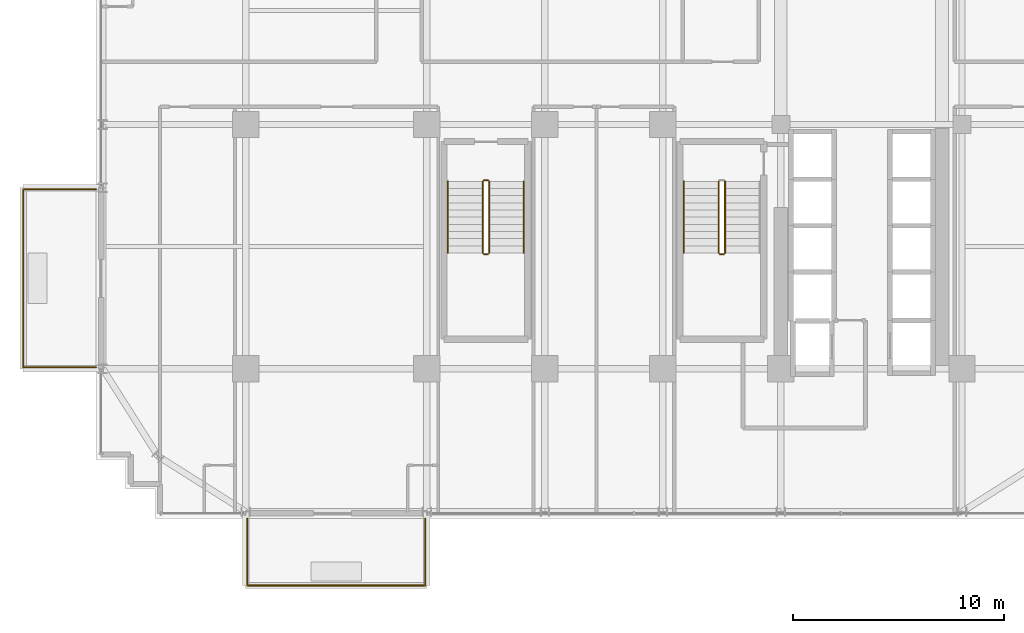
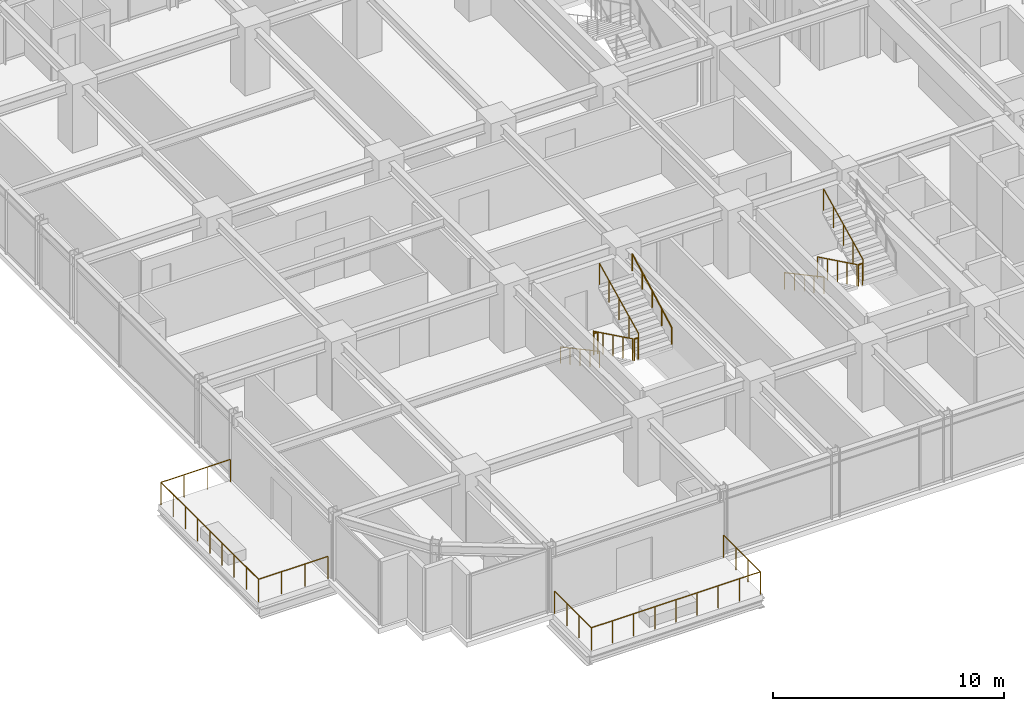
# One storey, part 30 of 32: 12 railings.
"""IFC4 building model written with IfcOpenShell, lengths in metres."""

from ifc_helpers import new_model, si_unit, direction, frame, origin, origin_2d, place, context, subcontext, project, spatial, circle, extrude, material, type_object, element, save


model = new_model("IFC4")

# Units and contexts
model_context = context("Model", 3, precision=1e-05, world=origin(), true_north=direction((0.0, 1.0)))
body_context = subcontext(model_context, "Body", "Model", "MODEL_VIEW")
ifc_project = project(units=[si_unit("LENGTHUNIT", "METRE"), si_unit("AREAUNIT", "SQUARE_METRE"), si_unit("VOLUMEUNIT", "CUBIC_METRE"), si_unit("PLANEANGLEUNIT", "RADIAN"), si_unit("MASSUNIT", "GRAM", prefix="KILO")], contexts=[model_context])

# Site, building, storey
site_placement = place(None, origin())
site = spatial("IfcSite", under=ifc_project, at=site_placement, CompositionType="ELEMENT")
building_placement = place(site_placement, origin())
building = spatial("IfcBuilding", under=site, at=building_placement, Name="Nahalor Promenade Grand Hotel", CompositionType="ELEMENT")
storey_placement = place(building_placement, frame((0.0, 0.0, 110.199951171875)))
storey = spatial("IfcBuildingStorey", under=building, at=storey_placement, Name="L27", CompositionType="ELEMENT", Elevation=110.199951171875)

# Railings
ifc_material_1 = material(Name="Anodised Bronze Aluminium EN AW-6063 T6", Category="aluminium")
railing_type_1 = type_object("IfcRailingType", Name="Bronze Balcony Guardrail 1200 mm", PredefinedType="GUARDRAIL", material=ifc_material_1)
railing_1_placement = place(storey_placement, frame((-16.919921875, -24.10009765625, 0.0)))
element("IfcRailing", 1, at=railing_1_placement, inside=storey, type_object=railing_type_1, Name="L27 Balcony Guardrail 1", PredefinedType="GUARDRAIL", context=body_context, shape_type="SweptSolid", body=[
    extrude(circle(Radius=0.024048, at=origin_2d()), frame((0.0, 0.0, 1.17578125), z_axis=(0.0, -1.0, 0.0), x_axis=(1.0, 0.0, 0.0)), (0.0, 0.0, 1.0), 3.177978515625),
    extrude(circle(Radius=0.024048, at=origin_2d()), frame((0.001953125, -3.179931640625, 1.17578125), z_axis=(1.0, 0.0, 0.0), x_axis=(0.0, 1.0, 0.0)), (0.0, 0.0, 1.0), 8.43603515625),
    extrude(circle(Radius=0.024048, at=origin_2d()), frame((8.43994140625, -3.177978515625, 1.17578125), z_axis=(0.0, 1.0, 0.0), x_axis=(-1.0, 0.0, 0.0)), (0.0, 0.0, 1.0), 3.177978515625),
    extrude(circle(Radius=0.020996, at=origin_2d()), origin(), (0.0, 0.0, 1.0), 1.14990234375),
    extrude(circle(Radius=0.020996, at=origin_2d()), frame((0.0, -1.06005859375, 0.0)), (0.0, 0.0, 1.0), 1.14990234375),
    extrude(circle(Radius=0.020996, at=origin_2d()), frame((0.0, -2.119873046875, 0.0)), (0.0, 0.0, 1.0), 1.14990234375),
    extrude(circle(Radius=0.020996, at=origin_2d()), frame((0.0, -3.179931640625, 0.0)), (0.0, 0.0, 1.0), 1.14990234375),
    extrude(circle(Radius=0.020996, at=origin_2d()), frame((1.054931640625, -3.179931640625, 0.0)), (0.0, 0.0, 1.0), 1.14990234375),
    extrude(circle(Radius=0.020996, at=origin_2d()), frame((2.10986328125, -3.179931640625, 0.0)), (0.0, 0.0, 1.0), 1.14990234375),
    extrude(circle(Radius=0.020996, at=origin_2d()), frame((3.1650390625, -3.179931640625, 0.0)), (0.0, 0.0, 1.0), 1.14990234375),
    extrude(circle(Radius=0.020996, at=origin_2d()), frame((4.219970703125, -3.179931640625, 0.0)), (0.0, 0.0, 1.0), 1.14990234375),
    extrude(circle(Radius=0.020996, at=origin_2d()), frame((5.27490234375, -3.179931640625, 0.0)), (0.0, 0.0, 1.0), 1.14990234375),
    extrude(circle(Radius=0.020996, at=origin_2d()), frame((6.330078125, -3.179931640625, 0.0)), (0.0, 0.0, 1.0), 1.14990234375),
    extrude(circle(Radius=0.020996, at=origin_2d()), frame((7.385009765625, -3.179931640625, 0.0)), (0.0, 0.0, 1.0), 1.14990234375),
    extrude(circle(Radius=0.020996, at=origin_2d()), frame((8.43994140625, -3.179931640625, 0.0)), (0.0, 0.0, 1.0), 1.14990234375),
    extrude(circle(Radius=0.020996, at=origin_2d()), frame((8.43994140625, -2.119873046875, 0.0)), (0.0, 0.0, 1.0), 1.14990234375),
    extrude(circle(Radius=0.020996, at=origin_2d()), frame((8.43994140625, -1.06005859375, 0.0)), (0.0, 0.0, 1.0), 1.14990234375),
    extrude(circle(Radius=0.020996, at=origin_2d()), frame((8.43994140625, 0.0, 0.0)), (0.0, 0.0, 1.0), 1.14990234375),
])
railing_2_placement = place(storey_placement, frame((-24.10009765625, -16.919921875, 0.0)))
element("IfcRailing", 2, at=railing_2_placement, inside=storey, type_object=railing_type_1, Name="L27 Balcony Guardrail 2", PredefinedType="GUARDRAIL", context=body_context, shape_type="SweptSolid", body=[
    extrude(circle(Radius=0.024048, at=origin_2d()), frame((0.0, 0.0, 1.17578125), z_axis=(-1.0, 0.0, 0.0), x_axis=(0.0, -1.0, 0.0)), (0.0, 0.0, 1.0), 3.4580078125),
    extrude(circle(Radius=0.024048, at=origin_2d()), frame((-3.4599609375, 0.001953125, 1.17578125), z_axis=(0.0, 1.0, 0.0), x_axis=(-1.0, 0.0, 0.0)), (0.0, 0.0, 1.0), 8.43603515625),
    extrude(circle(Radius=0.024048, at=origin_2d()), frame((-3.4580078125, 8.43994140625, 1.17578125), z_axis=(1.0, 0.0, 0.0), x_axis=(0.0, 1.0, 0.0)), (0.0, 0.0, 1.0), 3.4580078125),
    extrude(circle(Radius=0.020996, at=origin_2d()), origin(), (0.0, 0.0, 1.0), 1.14990234375),
    extrude(circle(Radius=0.020996, at=origin_2d()), frame((-1.1533203125, 0.0, 0.0)), (0.0, 0.0, 1.0), 1.14990234375),
    extrude(circle(Radius=0.020996, at=origin_2d()), frame((-2.306640625, 0.0, 0.0)), (0.0, 0.0, 1.0), 1.14990234375),
    extrude(circle(Radius=0.020996, at=origin_2d()), frame((-3.4599609375, 0.0, 0.0)), (0.0, 0.0, 1.0), 1.14990234375),
    extrude(circle(Radius=0.020996, at=origin_2d()), frame((-3.4599609375, 1.054931640625, 0.0)), (0.0, 0.0, 1.0), 1.14990234375),
    extrude(circle(Radius=0.020996, at=origin_2d()), frame((-3.4599609375, 2.10986328125, 0.0)), (0.0, 0.0, 1.0), 1.14990234375),
    extrude(circle(Radius=0.020996, at=origin_2d()), frame((-3.4599609375, 3.1650390625, 0.0)), (0.0, 0.0, 1.0), 1.14990234375),
    extrude(circle(Radius=0.020996, at=origin_2d()), frame((-3.4599609375, 4.219970703125, 0.0)), (0.0, 0.0, 1.0), 1.14990234375),
    extrude(circle(Radius=0.020996, at=origin_2d()), frame((-3.4599609375, 5.27490234375, 0.0)), (0.0, 0.0, 1.0), 1.14990234375),
    extrude(circle(Radius=0.020996, at=origin_2d()), frame((-3.4599609375, 6.330078125, 0.0)), (0.0, 0.0, 1.0), 1.14990234375),
    extrude(circle(Radius=0.020996, at=origin_2d()), frame((-3.4599609375, 7.385009765625, 0.0)), (0.0, 0.0, 1.0), 1.14990234375),
    extrude(circle(Radius=0.020996, at=origin_2d()), frame((-3.4599609375, 8.43994140625, 0.0)), (0.0, 0.0, 1.0), 1.14990234375),
    extrude(circle(Radius=0.020996, at=origin_2d()), frame((-2.306640625, 8.43994140625, 0.0)), (0.0, 0.0, 1.0), 1.14990234375),
    extrude(circle(Radius=0.020996, at=origin_2d()), frame((-1.1533203125, 8.43994140625, 0.0)), (0.0, 0.0, 1.0), 1.14990234375),
    extrude(circle(Radius=0.020996, at=origin_2d()), frame((0.0, 8.43994140625, 0.0)), (0.0, 0.0, 1.0), 1.14990234375),
])
ifc_material_2 = material(Name="Steel S355JR", Category="steel")
railing_type_2 = type_object("IfcRailingType", Name="Steel Stair Guardrail 1150 mm", PredefinedType="GUARDRAIL", material=ifc_material_2)
railing_3_placement = place(storey_placement, frame((5.449951171875, -8.10009765625, 0.166015625)))
element("IfcRailing", 3, at=railing_3_placement, inside=storey, type_object=railing_type_2, Name="L27 ST2 stair guard 1", PredefinedType="GUARDRAIL", context=body_context, shape_type="SweptSolid", body=[
    extrude(circle(Radius=0.024048, at=origin_2d()), frame((0.0, 0.0, 1.1259765625), z_axis=(0.0, -0.898721922897, 0.438518990814), x_axis=(1.0, 0.0, 0.0)), (0.0, 0.0, 1.0), 3.782958984375),
    extrude(circle(Radius=0.020996, at=origin_2d()), origin(), (0.0, 0.0, 1.0), 1.099853515625),
    extrude(circle(Radius=0.020996, at=origin_2d()), frame((0.0, -0.85009765625, 0.414794921875)), (0.0, 0.0, 1.0), 1.099853515625),
    extrude(circle(Radius=0.020996, at=origin_2d()), frame((0.0, -1.699951171875, 0.82958984375)), (0.0, 0.0, 1.0), 1.099853515625),
    extrude(circle(Radius=0.020996, at=origin_2d()), frame((0.0, -2.5498046875, 1.244140625)), (0.0, 0.0, 1.0), 1.099853515625),
    extrude(circle(Radius=0.020996, at=origin_2d()), frame((0.0, -3.39990234375, 1.658935546875)), (0.0, 0.0, 1.0), 1.099853515625),
])
railing_4_placement = place(storey_placement, frame((5.5, -11.550048828125, 1.824951171875)))
element("IfcRailing", 4, at=railing_4_placement, inside=storey, type_object=railing_type_2, Name="L27 ST2 stair guard 2", PredefinedType="GUARDRAIL", context=body_context, shape_type="SweptSolid", body=[
    extrude(circle(Radius=0.024048, at=origin_2d()), frame((0.0, 0.0, 1.1259765625), z_axis=(1.0, 0.0, 0.0), x_axis=(0.0, 1.0, 0.0)), (0.0, 0.0, 1.0), 0.199951171875),
    extrude(circle(Radius=0.020996, at=origin_2d()), origin(), (0.0, 0.0, 1.0), 1.099853515625),
    extrude(circle(Radius=0.020996, at=origin_2d()), frame((0.199951171875, 0.0, 0.0)), (0.0, 0.0, 1.0), 1.099853515625),
])
railing_5_placement = place(storey_placement, frame((5.75, -11.5, 1.990966796875)))
element("IfcRailing", 5, at=railing_5_placement, inside=storey, type_object=railing_type_2, Name="L27 ST2 stair guard 3", PredefinedType="GUARDRAIL", context=body_context, shape_type="SweptSolid", body=[
    extrude(circle(Radius=0.024048, at=origin_2d()), frame((0.0, 0.0, 1.1259765625), z_axis=(0.0, 0.898696488221, 0.438571114028), x_axis=(-1.0, 0.0, 0.0)), (0.0, 0.0, 1.0), 3.783203125),
    extrude(circle(Radius=0.020996, at=origin_2d()), origin(), (0.0, 0.0, 1.0), 1.099853515625),
    extrude(circle(Radius=0.020996, at=origin_2d()), frame((0.0, 0.85009765625, 0.414794921875)), (0.0, 0.0, 1.0), 1.099853515625),
    extrude(circle(Radius=0.020996, at=origin_2d()), frame((0.0, 1.699951171875, 0.82958984375)), (0.0, 0.0, 1.0), 1.099853515625),
    extrude(circle(Radius=0.020996, at=origin_2d()), frame((0.0, 2.5498046875, 1.244384765625)), (0.0, 0.0, 1.0), 1.099853515625),
    extrude(circle(Radius=0.020996, at=origin_2d()), frame((0.0, 3.39990234375, 1.6591796875)), (0.0, 0.0, 1.0), 1.099853515625),
])
railing_6_placement = place(storey_placement, frame((-5.75, -8.10009765625, 0.166015625)))
element("IfcRailing", 6, at=railing_6_placement, inside=storey, type_object=railing_type_2, Name="L27 ST3 stair guard 1", PredefinedType="GUARDRAIL", context=body_context, shape_type="SweptSolid", body=[
    extrude(circle(Radius=0.024048, at=origin_2d()), frame((0.0, 0.0, 1.1259765625), z_axis=(0.0, -0.898721922897, 0.438518990814), x_axis=(1.0, 0.0, 0.0)), (0.0, 0.0, 1.0), 3.782958984375),
    extrude(circle(Radius=0.020996, at=origin_2d()), origin(), (0.0, 0.0, 1.0), 1.099853515625),
    extrude(circle(Radius=0.020996, at=origin_2d()), frame((0.0, -0.85009765625, 0.414794921875)), (0.0, 0.0, 1.0), 1.099853515625),
    extrude(circle(Radius=0.020996, at=origin_2d()), frame((0.0, -1.699951171875, 0.82958984375)), (0.0, 0.0, 1.0), 1.099853515625),
    extrude(circle(Radius=0.020996, at=origin_2d()), frame((0.0, -2.5498046875, 1.244140625)), (0.0, 0.0, 1.0), 1.099853515625),
    extrude(circle(Radius=0.020996, at=origin_2d()), frame((0.0, -3.39990234375, 1.658935546875)), (0.0, 0.0, 1.0), 1.099853515625),
])
railing_7_placement = place(storey_placement, frame((-5.699951171875, -11.550048828125, 1.824951171875)))
element("IfcRailing", 7, at=railing_7_placement, inside=storey, type_object=railing_type_2, Name="L27 ST3 stair guard 2", PredefinedType="GUARDRAIL", context=body_context, shape_type="SweptSolid", body=[
    extrude(circle(Radius=0.024048, at=origin_2d()), frame((0.0, 0.0, 1.1259765625), z_axis=(1.0, 0.0, 0.0), x_axis=(0.0, 1.0, 0.0)), (0.0, 0.0, 1.0), 0.199951171875),
    extrude(circle(Radius=0.020996, at=origin_2d()), origin(), (0.0, 0.0, 1.0), 1.099853515625),
    extrude(circle(Radius=0.020996, at=origin_2d()), frame((0.199951171875, 0.0, 0.0)), (0.0, 0.0, 1.0), 1.099853515625),
])
railing_8_placement = place(storey_placement, frame((-5.449951171875, -11.5, 1.990966796875)))
element("IfcRailing", 8, at=railing_8_placement, inside=storey, type_object=railing_type_2, Name="L27 ST3 stair guard 3", PredefinedType="GUARDRAIL", context=body_context, shape_type="SweptSolid", body=[
    extrude(circle(Radius=0.024048, at=origin_2d()), frame((0.0, 0.0, 1.1259765625), z_axis=(0.0, 0.898696488221, 0.438571114028), x_axis=(-1.0, 0.0, 0.0)), (0.0, 0.0, 1.0), 3.783203125),
    extrude(circle(Radius=0.020996, at=origin_2d()), origin(), (0.0, 0.0, 1.0), 1.099853515625),
    extrude(circle(Radius=0.020996, at=origin_2d()), frame((0.0, 0.85009765625, 0.414794921875)), (0.0, 0.0, 1.0), 1.099853515625),
    extrude(circle(Radius=0.020996, at=origin_2d()), frame((0.0, 1.699951171875, 0.82958984375)), (0.0, 0.0, 1.0), 1.099853515625),
    extrude(circle(Radius=0.020996, at=origin_2d()), frame((0.0, 2.5498046875, 1.244384765625)), (0.0, 0.0, 1.0), 1.099853515625),
    extrude(circle(Radius=0.020996, at=origin_2d()), frame((0.0, 3.39990234375, 1.6591796875)), (0.0, 0.0, 1.0), 1.099853515625),
])
railing_9_placement = place(storey_placement, frame((-5.699951171875, -8.050048828125, 0.0)))
element("IfcRailing", 9, at=railing_9_placement, inside=storey, type_object=railing_type_2, Name="L27 ST3 stair guard 4", PredefinedType="GUARDRAIL", context=body_context, shape_type="SweptSolid", body=[
    extrude(circle(Radius=0.024048, at=origin_2d()), frame((0.0, 0.0, 1.1259765625), z_axis=(1.0, 0.0, 0.0), x_axis=(0.0, 1.0, 0.0)), (0.0, 0.0, 1.0), 0.199951171875),
    extrude(circle(Radius=0.020996, at=origin_2d()), origin(), (0.0, 0.0, 1.0), 1.099853515625),
    extrude(circle(Radius=0.020996, at=origin_2d()), frame((0.199951171875, 0.0, 0.0)), (0.0, 0.0, 1.0), 1.099853515625),
])
railing_type_3 = type_object("IfcRailingType", Name="Steel Stair Handrail 900 mm", PredefinedType="HANDRAIL", material=ifc_material_2)
for number, where, name in (
    (10, (3.800048828125, -8.10009765625, 0.166015625), "L27 ST2 stair handrail 1"),
    (11, (-7.39990234375, -8.10009765625, 0.166015625), "L27 ST3 stair handrail 1"),
):
    element("IfcRailing", number, at=place(storey_placement, frame(where)), inside=storey, type_object=railing_type_3, Name=name, PredefinedType="HANDRAIL", context=body_context, shape_type="SweptSolid", body=[
        extrude(circle(Radius=0.024048, at=origin_2d()), frame((0.0, 0.0, 0.8759765625), z_axis=(0.0, -0.881094038095, 0.47294111265), x_axis=(1.0, 0.0, 0.0)), (0.0, 0.0, 1.0), 3.858642578125),
        extrude(circle(Radius=0.020996, at=origin_2d()), origin(), (0.0, 0.0, 1.0), 0.849853515625),
        extrude(circle(Radius=0.020996, at=origin_2d()), frame((0.0, -0.85009765625, 0.456298828125)), (0.0, 0.0, 1.0), 0.849853515625),
        extrude(circle(Radius=0.020996, at=origin_2d()), frame((0.0, -1.699951171875, 0.91259765625)), (0.0, 0.0, 1.0), 0.849853515625),
        extrude(circle(Radius=0.020996, at=origin_2d()), frame((0.0, -2.5498046875, 1.36865234375)), (0.0, 0.0, 1.0), 0.849853515625),
        extrude(circle(Radius=0.020996, at=origin_2d()), frame((0.0, -3.39990234375, 1.824951171875)), (0.0, 0.0, 1.0), 0.849853515625),
    ])
railing_10_placement = place(storey_placement, frame((-3.800048828125, -11.5, 1.990966796875)))
element("IfcRailing", 12, at=railing_10_placement, inside=storey, type_object=railing_type_3, Name="L27 ST3 stair handrail 2", PredefinedType="HANDRAIL", context=body_context, shape_type="SweptSolid", body=[
    extrude(circle(Radius=0.024048, at=origin_2d()), frame((0.0, 0.0, 0.8759765625), z_axis=(0.0, 0.881094038095, 0.47294111265), x_axis=(-1.0, 0.0, 0.0)), (0.0, 0.0, 1.0), 3.858642578125),
    extrude(circle(Radius=0.020996, at=origin_2d()), origin(), (0.0, 0.0, 1.0), 0.849853515625),
    extrude(circle(Radius=0.020996, at=origin_2d()), frame((0.0, 0.85009765625, 0.456298828125)), (0.0, 0.0, 1.0), 0.849853515625),
    extrude(circle(Radius=0.020996, at=origin_2d()), frame((0.0, 1.699951171875, 0.91259765625)), (0.0, 0.0, 1.0), 0.849853515625),
    extrude(circle(Radius=0.020996, at=origin_2d()), frame((0.0, 2.5498046875, 1.36865234375)), (0.0, 0.0, 1.0), 0.849853515625),
    extrude(circle(Radius=0.020996, at=origin_2d()), frame((0.0, 3.39990234375, 1.824951171875)), (0.0, 0.0, 1.0), 0.849853515625),
])

save(model, "model.ifc")
